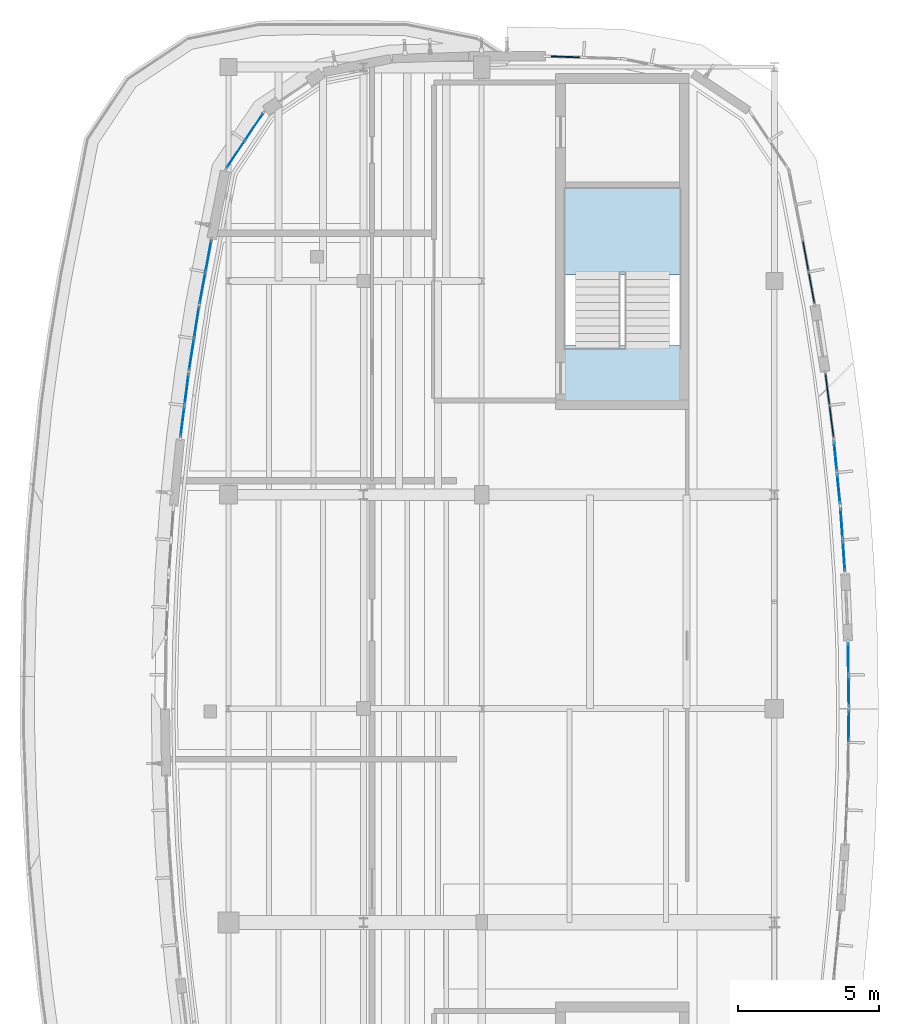
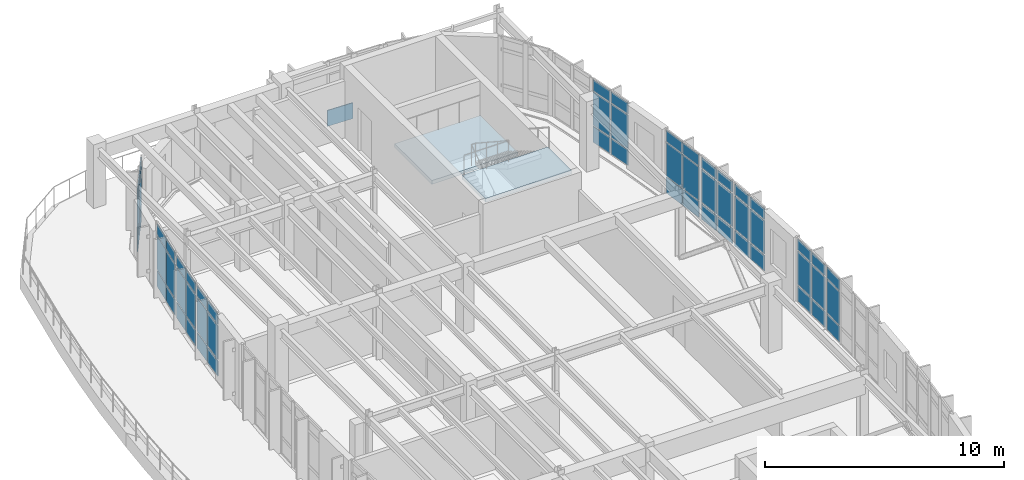
# One storey, part 14 of 20: 58 plates, 2 slabs, 12 elements without a shape of their own.
"""IFC4 building model written with IfcOpenShell, lengths in metres."""

from ifc_helpers import new_model, si_unit, direction, frame, origin, origin_2d, place, context, subcontext, project, spatial, polyline, rectangle, outline, extrude, material, layer, layer_set, type_object, element, aggregate, save


model = new_model("IFC4")

# Units and contexts
model_context = context("Model", 3, precision=1e-05, world=origin(), true_north=direction((0.0, 1.0)))
body_context = subcontext(model_context, "Body", "Model", "MODEL_VIEW")
ifc_project = project(units=[si_unit("LENGTHUNIT", "METRE"), si_unit("AREAUNIT", "SQUARE_METRE"), si_unit("VOLUMEUNIT", "CUBIC_METRE"), si_unit("PLANEANGLEUNIT", "RADIAN"), si_unit("MASSUNIT", "GRAM", prefix="KILO")], contexts=[model_context])

# Site, building, storey
site_placement = place(None, origin())
site = spatial("IfcSite", under=ifc_project, at=site_placement, CompositionType="ELEMENT")
building_placement = place(site_placement, origin())
building = spatial("IfcBuilding", under=site, at=building_placement, Name="Corveleigh Park Community Centre", CompositionType="ELEMENT")
storey_placement = place(building_placement, frame((0.0, 0.0, 16.199951171875)))
storey = spatial("IfcBuildingStorey", under=building, at=storey_placement, Name="L04", CompositionType="ELEMENT", Elevation=16.199951171875)

# Curtain wall, plates
ifc_material_1 = material(Name="Anodised aluminium 6063-T6", Category="aluminium")
curtain_wall_type = type_object("IfcCurtainWallType", Name="CW-SYS-V4-L03", PredefinedType="NOTDEFINED", material=ifc_material_1)
curtain_wall_1_placement = place(storey_placement, origin())
curtain_wall_1 = element("IfcCurtainWall", 1, at=curtain_wall_1_placement, inside=storey, type_object=curtain_wall_type, Name="V4 L04 Curtain Wall 457", PredefinedType="NOTDEFINED")
ifc_material_2 = material(Name="Low-E double glazing", Category="glass")
ifc_layer_1 = layer(ifc_material_2, 0.02392578125, Name="Low-E double glazing", Category="glass")
ifc_layer_set_1 = layer_set([ifc_layer_1], Name="Low-E double glazing")
plate_type_1 = type_object("IfcPlateType", Name="CWP-GLZ-24", PredefinedType="CURTAIN_PANEL", material=ifc_layer_set_1)
plate_1_placement = place(storey_placement, frame((149.2548828125, 101.098876953125, 0.06494140625), z_axis=(0.0, 0.0, 1.0), x_axis=(0.555658190101, 0.83141083453, 0.0)))
plate_1 = element("IfcPlate", 2, at=plate_1_placement, type_object=plate_type_1, Name="CW09 panel 1.1", PredefinedType="CURTAIN_PANEL", context=body_context, shape_type="SweptSolid", body=[
    extrude(rectangle(XDim=1.114013671875, YDim=0.02392578125, at=origin_2d()), origin(), (0.0, 0.0, 1.0), 0.802490234375),
])
plate_2_placement = place(storey_placement, frame((149.2548828125, 101.098876953125, 0.9326171875), z_axis=(0.0, 0.0, 1.0), x_axis=(0.555658190101, 0.83141083453, 0.0)))
plate_2 = element("IfcPlate", 3, at=plate_2_placement, type_object=plate_type_1, Name="CW09 panel 1.2", PredefinedType="CURTAIN_PANEL", context=body_context, shape_type="SweptSolid", body=[
    extrude(rectangle(XDim=1.114013671875, YDim=0.02392578125, at=origin_2d()), origin(), (0.0, 0.0, 1.0), 1.721923828125),
])
plate_3_placement = place(storey_placement, frame((149.2548828125, 101.098876953125, 2.7197265625), z_axis=(0.0, 0.0, 1.0), x_axis=(0.555658190101, 0.83141083453, 0.0)))
plate_3 = element("IfcPlate", 4, at=plate_3_placement, type_object=plate_type_1, Name="CW09 panel 1.3", PredefinedType="CURTAIN_PANEL", context=body_context, shape_type="SweptSolid", body=[
    extrude(rectangle(XDim=1.114013671875, YDim=0.02392578125, at=origin_2d()), origin(), (0.0, 0.0, 1.0), 0.552490234375),
])
plate_4_placement = place(storey_placement, frame((149.9072265625, 102.074951171875, 0.06494140625), z_axis=(0.0, 0.0, 1.0), x_axis=(0.555658190101, 0.83141083453, 0.0)))
plate_4 = element("IfcPlate", 5, at=plate_4_placement, type_object=plate_type_1, Name="CW09 panel 2.1", PredefinedType="CURTAIN_PANEL", context=body_context, shape_type="SweptSolid", body=[
    extrude(rectangle(XDim=1.114013671875, YDim=0.02392578125, at=origin_2d()), origin(), (0.0, 0.0, 1.0), 0.802490234375),
])
plate_5_placement = place(storey_placement, frame((149.9072265625, 102.074951171875, 0.9326171875), z_axis=(0.0, 0.0, 1.0), x_axis=(0.555658190101, 0.83141083453, 0.0)))
plate_5 = element("IfcPlate", 6, at=plate_5_placement, type_object=plate_type_1, Name="CW09 panel 2.2", PredefinedType="CURTAIN_PANEL", context=body_context, shape_type="SweptSolid", body=[
    extrude(rectangle(XDim=1.114013671875, YDim=0.02392578125, at=origin_2d()), origin(), (0.0, 0.0, 1.0), 1.721923828125),
])
plate_6_placement = place(storey_placement, frame((149.9072265625, 102.074951171875, 2.7197265625), z_axis=(0.0, 0.0, 1.0), x_axis=(0.555658190101, 0.83141083453, 0.0)))
plate_6 = element("IfcPlate", 7, at=plate_6_placement, type_object=plate_type_1, Name="CW09 panel 2.3", PredefinedType="CURTAIN_PANEL", context=body_context, shape_type="SweptSolid", body=[
    extrude(rectangle(XDim=1.114013671875, YDim=0.02392578125, at=origin_2d()), origin(), (0.0, 0.0, 1.0), 0.552490234375),
])
aggregate(curtain_wall_1, [plate_1, plate_2, plate_3, plate_4, plate_5, plate_6])

curtain_wall_2_placement = place(storey_placement, origin())
curtain_wall_2 = element("IfcCurtainWall", 8, at=curtain_wall_2_placement, inside=storey, type_object=curtain_wall_type, Name="V4 L04 Curtain Wall 458", PredefinedType="NOTDEFINED")
plate_7_placement = place(storey_placement, frame((148.076416015625, 96.350341796875, 0.070068359375), z_axis=(0.0, 0.0, 1.0), x_axis=(0.181984151504, 0.983301463744, 0.0)))
plate_7 = element("IfcPlate", 9, at=plate_7_placement, type_object=plate_type_1, Name="CW09 panel 1.1", PredefinedType="CURTAIN_PANEL", context=body_context, shape_type="SweptSolid", body=[
    extrude(rectangle(XDim=1.094970703125, YDim=0.02392578125, at=origin_2d()), origin(), (0.0, 0.0, 1.0), 0.794921875),
])
plate_8_placement = place(storey_placement, frame((148.076416015625, 96.350341796875, 0.93505859375), z_axis=(0.0, 0.0, 1.0), x_axis=(0.181984151504, 0.983301463744, 0.0)))
plate_8 = element("IfcPlate", 10, at=plate_8_placement, type_object=plate_type_1, Name="CW09 panel 1.2", PredefinedType="CURTAIN_PANEL", context=body_context, shape_type="SweptSolid", body=[
    extrude(rectangle(XDim=1.094970703125, YDim=0.02392578125, at=origin_2d()), origin(), (0.0, 0.0, 1.0), 1.717041015625),
])
plate_9_placement = place(storey_placement, frame((148.076416015625, 96.350341796875, 2.72216796875), z_axis=(0.0, 0.0, 1.0), x_axis=(0.181984151504, 0.983301463744, 0.0)))
plate_9 = element("IfcPlate", 11, at=plate_9_placement, type_object=plate_type_1, Name="CW09 panel 1.3", PredefinedType="CURTAIN_PANEL", context=body_context, shape_type="SweptSolid", body=[
    extrude(rectangle(XDim=1.094970703125, YDim=0.02392578125, at=origin_2d()), origin(), (0.0, 0.0, 1.0), 0.544921875),
])
plate_10_placement = place(storey_placement, frame((148.28759765625, 97.49072265625, 0.070068359375), z_axis=(0.0, 0.0, 1.0), x_axis=(0.181984151504, 0.983301463744, 0.0)))
plate_10 = element("IfcPlate", 12, at=plate_10_placement, type_object=plate_type_1, Name="CW09 panel 2.1", PredefinedType="CURTAIN_PANEL", context=body_context, shape_type="SweptSolid", body=[
    extrude(rectangle(XDim=1.094970703125, YDim=0.02392578125, at=origin_2d()), origin(), (0.0, 0.0, 1.0), 0.794921875),
])
plate_11_placement = place(storey_placement, frame((148.28759765625, 97.49072265625, 0.93505859375), z_axis=(0.0, 0.0, 1.0), x_axis=(0.181984151504, 0.983301463744, 0.0)))
plate_11 = element("IfcPlate", 13, at=plate_11_placement, type_object=plate_type_1, Name="CW09 panel 2.2", PredefinedType="CURTAIN_PANEL", context=body_context, shape_type="SweptSolid", body=[
    extrude(rectangle(XDim=1.094970703125, YDim=0.02392578125, at=origin_2d()), origin(), (0.0, 0.0, 1.0), 1.717041015625),
])
plate_12_placement = place(storey_placement, frame((148.28759765625, 97.49072265625, 2.72216796875), z_axis=(0.0, 0.0, 1.0), x_axis=(0.181984151504, 0.983301463744, 0.0)))
plate_12 = element("IfcPlate", 14, at=plate_12_placement, type_object=plate_type_1, Name="CW09 panel 2.3", PredefinedType="CURTAIN_PANEL", context=body_context, shape_type="SweptSolid", body=[
    extrude(rectangle(XDim=1.094970703125, YDim=0.02392578125, at=origin_2d()), origin(), (0.0, 0.0, 1.0), 0.544921875),
])
aggregate(curtain_wall_2, [plate_7, plate_8, plate_9, plate_10, plate_11, plate_12])

curtain_wall_3_placement = place(storey_placement, origin())
curtain_wall_3 = element("IfcCurtainWall", 15, at=curtain_wall_3_placement, inside=storey, type_object=curtain_wall_type, Name="V4 L04 Curtain Wall 447", PredefinedType="NOTDEFINED")
ifc_layer_2 = layer(ifc_material_2, 0.028076171875, Name="Low-E double glazing", Category="glass")
ifc_layer_set_2 = layer_set([ifc_layer_2], Name="Low-E double glazing")
plate_type_2 = type_object("IfcPlateType", Name="CWP-GLZ-28", PredefinedType="CURTAIN_PANEL", material=ifc_layer_set_2)
plate_13_placement = place(storey_placement, frame((171.044189453125, 80.77783203125, 0.06494140625), z_axis=(0.0, 0.0, 1.0), x_axis=(-0.01426627775, -0.999898231481, 0.0)))
plate_13 = element("IfcPlate", 16, at=plate_13_placement, type_object=plate_type_2, Name="CW09 panel 1.1", PredefinedType="CURTAIN_PANEL", context=body_context, shape_type="SweptSolid", body=[
    extrude(rectangle(XDim=1.086669921875, YDim=0.028076171875, at=origin_2d()), origin(), (0.0, 0.0, 1.0), 0.802490234375),
])
plate_14_placement = place(storey_placement, frame((171.044189453125, 80.77783203125, 0.9326171875), z_axis=(0.0, 0.0, 1.0), x_axis=(-0.01426627775, -0.999898231481, 0.0)))
plate_14 = element("IfcPlate", 17, at=plate_14_placement, type_object=plate_type_2, Name="CW09 panel 1.2", PredefinedType="CURTAIN_PANEL", context=body_context, shape_type="SweptSolid", body=[
    extrude(rectangle(XDim=1.086669921875, YDim=0.028076171875, at=origin_2d()), origin(), (0.0, 0.0, 1.0), 1.697021484375),
])
plate_15_placement = place(storey_placement, frame((171.044189453125, 80.77783203125, 2.6943359375), z_axis=(0.0, 0.0, 1.0), x_axis=(-0.01426627775, -0.999898231481, 0.0)))
plate_15 = element("IfcPlate", 18, at=plate_15_placement, type_object=plate_type_2, Name="CW09 panel 1.3", PredefinedType="CURTAIN_PANEL", context=body_context, shape_type="SweptSolid", body=[
    extrude(rectangle(XDim=1.086669921875, YDim=0.028076171875, at=origin_2d()), origin(), (0.0, 0.0, 1.0), 0.552490234375),
])
aggregate(curtain_wall_3, [plate_13, plate_14, plate_15])

curtain_wall_4_placement = place(storey_placement, origin())
curtain_wall_4 = element("IfcCurtainWall", 19, at=curtain_wall_4_placement, inside=storey, type_object=curtain_wall_type, Name="V4 L04 Curtain Wall 448", PredefinedType="NOTDEFINED")
plate_16_placement = place(storey_placement, frame((171.02783203125, 83.177490234375, 0.070068359375), z_axis=(0.0, 0.0, 1.0), x_axis=(0.01426627775, -0.999898231481, 0.0)))
plate_16 = element("IfcPlate", 20, at=plate_16_placement, type_object=plate_type_2, Name="CW09 panel 1.1", PredefinedType="CURTAIN_PANEL", context=body_context, shape_type="SweptSolid", body=[
    extrude(rectangle(XDim=1.0791015625, YDim=0.028076171875, at=origin_2d()), origin(), (0.0, 0.0, 1.0), 0.794921875),
])
plate_17_placement = place(storey_placement, frame((171.02783203125, 83.177490234375, 0.93505859375), z_axis=(0.0, 0.0, 1.0), x_axis=(0.01426627775, -0.999898231481, 0.0)))
plate_17 = element("IfcPlate", 21, at=plate_17_placement, type_object=plate_type_2, Name="CW09 panel 1.2", PredefinedType="CURTAIN_PANEL", context=body_context, shape_type="SweptSolid", body=[
    extrude(rectangle(XDim=1.0791015625, YDim=0.028076171875, at=origin_2d()), origin(), (0.0, 0.0, 1.0), 1.69189453125),
])
plate_18_placement = place(storey_placement, frame((171.02783203125, 83.177490234375, 2.697021484375), z_axis=(0.0, 0.0, 1.0), x_axis=(0.01426627775, -0.999898231481, 0.0)))
plate_18 = element("IfcPlate", 22, at=plate_18_placement, type_object=plate_type_2, Name="CW09 panel 1.3", PredefinedType="CURTAIN_PANEL", context=body_context, shape_type="SweptSolid", body=[
    extrude(rectangle(XDim=1.0791015625, YDim=0.028076171875, at=origin_2d()), origin(), (0.0, 0.0, 1.0), 0.544921875),
])
plate_19_placement = place(storey_placement, frame((171.044189453125, 82.0234375, 0.070068359375), z_axis=(0.0, 0.0, 1.0), x_axis=(0.01426627775, -0.999898231481, 0.0)))
plate_19 = element("IfcPlate", 23, at=plate_19_placement, type_object=plate_type_2, Name="CW09 panel 2.1", PredefinedType="CURTAIN_PANEL", context=body_context, shape_type="SweptSolid", body=[
    extrude(rectangle(XDim=1.0791015625, YDim=0.028076171875, at=origin_2d()), origin(), (0.0, 0.0, 1.0), 0.794921875),
])
plate_20_placement = place(storey_placement, frame((171.044189453125, 82.0234375, 0.93505859375), z_axis=(0.0, 0.0, 1.0), x_axis=(0.01426627775, -0.999898231481, 0.0)))
plate_20 = element("IfcPlate", 24, at=plate_20_placement, type_object=plate_type_2, Name="CW09 panel 2.2", PredefinedType="CURTAIN_PANEL", context=body_context, shape_type="SweptSolid", body=[
    extrude(rectangle(XDim=1.0791015625, YDim=0.028076171875, at=origin_2d()), origin(), (0.0, 0.0, 1.0), 1.69189453125),
])
plate_21_placement = place(storey_placement, frame((171.044189453125, 82.0234375, 2.697021484375), z_axis=(0.0, 0.0, 1.0), x_axis=(0.01426627775, -0.999898231481, 0.0)))
plate_21 = element("IfcPlate", 25, at=plate_21_placement, type_object=plate_type_2, Name="CW09 panel 2.3", PredefinedType="CURTAIN_PANEL", context=body_context, shape_type="SweptSolid", body=[
    extrude(rectangle(XDim=1.0791015625, YDim=0.028076171875, at=origin_2d()), origin(), (0.0, 0.0, 1.0), 0.544921875),
])
aggregate(curtain_wall_4, [plate_16, plate_17, plate_18, plate_19, plate_20, plate_21])

curtain_wall_5_placement = place(storey_placement, origin())
curtain_wall_5 = element("IfcCurtainWall", 26, at=curtain_wall_5_placement, inside=storey, type_object=curtain_wall_type, Name="V4 L04 Curtain Wall 459", PredefinedType="NOTDEFINED")
plate_22_placement = place(storey_placement, frame((147.68798828125, 93.981689453125, 0.074951171875), z_axis=(0.0, 0.0, 1.0), x_axis=(0.154863358814, 0.987935898779, 0.0)))
plate_22 = element("IfcPlate", 27, at=plate_22_placement, type_object=plate_type_2, Name="CW09 panel 1.1", PredefinedType="CURTAIN_PANEL", context=body_context, shape_type="SweptSolid", body=[
    extrude(rectangle(XDim=1.08642578125, YDim=0.028076171875, at=origin_2d()), origin(), (0.0, 0.0, 1.0), 0.78759765625),
])
plate_23_placement = place(storey_placement, frame((147.68798828125, 93.981689453125, 0.9375), z_axis=(0.0, 0.0, 1.0), x_axis=(0.154863358814, 0.987935898779, 0.0)))
plate_23 = element("IfcPlate", 28, at=plate_23_placement, type_object=plate_type_2, Name="CW09 panel 1.2", PredefinedType="CURTAIN_PANEL", context=body_context, shape_type="SweptSolid", body=[
    extrude(rectangle(XDim=1.08642578125, YDim=0.028076171875, at=origin_2d()), origin(), (0.0, 0.0, 1.0), 1.7119140625),
])
plate_24_placement = place(storey_placement, frame((147.68798828125, 93.981689453125, 2.724609375), z_axis=(0.0, 0.0, 1.0), x_axis=(0.154863358814, 0.987935898779, 0.0)))
plate_24 = element("IfcPlate", 29, at=plate_24_placement, type_object=plate_type_2, Name="CW09 panel 1.3", PredefinedType="CURTAIN_PANEL", context=body_context, shape_type="SweptSolid", body=[
    extrude(rectangle(XDim=1.08642578125, YDim=0.028076171875, at=origin_2d()), origin(), (0.0, 0.0, 1.0), 0.53759765625),
])
plate_25_placement = place(storey_placement, frame((147.866943359375, 95.124267578125, 0.074951171875), z_axis=(0.0, 0.0, 1.0), x_axis=(0.154863358814, 0.987935898779, 0.0)))
plate_25 = element("IfcPlate", 30, at=plate_25_placement, type_object=plate_type_2, Name="CW09 panel 2.1", PredefinedType="CURTAIN_PANEL", context=body_context, shape_type="SweptSolid", body=[
    extrude(rectangle(XDim=1.08642578125, YDim=0.028076171875, at=origin_2d()), origin(), (0.0, 0.0, 1.0), 0.78759765625),
])
plate_26_placement = place(storey_placement, frame((147.866943359375, 95.124267578125, 0.9375), z_axis=(0.0, 0.0, 1.0), x_axis=(0.154863358814, 0.987935898779, 0.0)))
plate_26 = element("IfcPlate", 31, at=plate_26_placement, type_object=plate_type_2, Name="CW09 panel 2.2", PredefinedType="CURTAIN_PANEL", context=body_context, shape_type="SweptSolid", body=[
    extrude(rectangle(XDim=1.08642578125, YDim=0.028076171875, at=origin_2d()), origin(), (0.0, 0.0, 1.0), 1.7119140625),
])
plate_27_placement = place(storey_placement, frame((147.866943359375, 95.124267578125, 2.724609375), z_axis=(0.0, 0.0, 1.0), x_axis=(0.154863358814, 0.987935898779, 0.0)))
plate_27 = element("IfcPlate", 32, at=plate_27_placement, type_object=plate_type_2, Name="CW09 panel 2.3", PredefinedType="CURTAIN_PANEL", context=body_context, shape_type="SweptSolid", body=[
    extrude(rectangle(XDim=1.08642578125, YDim=0.028076171875, at=origin_2d()), origin(), (0.0, 0.0, 1.0), 0.53759765625),
])
aggregate(curtain_wall_5, [plate_22, plate_23, plate_24, plate_25, plate_26, plate_27])

curtain_wall_6_placement = place(storey_placement, origin())
curtain_wall_6 = element("IfcCurtainWall", 33, at=curtain_wall_6_placement, inside=storey, type_object=curtain_wall_type, Name="V4 L04 Curtain Wall 460", PredefinedType="NOTDEFINED")
plate_28_placement = place(storey_placement, frame((147.366943359375, 91.603515625, 0.080078125), z_axis=(0.0, 0.0, 1.0), x_axis=(0.126719731618, 0.991938561413, 0.0)))
plate_28 = element("IfcPlate", 34, at=plate_28_placement, type_object=plate_type_2, Name="CW09 panel 1.1", PredefinedType="CURTAIN_PANEL", context=body_context, shape_type="SweptSolid", body=[
    extrude(rectangle(XDim=1.0791015625, YDim=0.028076171875, at=origin_2d()), origin(), (0.0, 0.0, 1.0), 0.780029296875),
])
plate_29_placement = place(storey_placement, frame((147.366943359375, 91.603515625, 0.93994140625), z_axis=(0.0, 0.0, 1.0), x_axis=(0.126719731618, 0.991938561413, 0.0)))
plate_29 = element("IfcPlate", 35, at=plate_29_placement, type_object=plate_type_2, Name="CW09 panel 1.2", PredefinedType="CURTAIN_PANEL", context=body_context, shape_type="SweptSolid", body=[
    extrude(rectangle(XDim=1.0791015625, YDim=0.028076171875, at=origin_2d()), origin(), (0.0, 0.0, 1.0), 1.70703125),
])
plate_30_placement = place(storey_placement, frame((147.366943359375, 91.603515625, 2.72705078125), z_axis=(0.0, 0.0, 1.0), x_axis=(0.126719731618, 0.991938561413, 0.0)))
plate_30 = element("IfcPlate", 36, at=plate_30_placement, type_object=plate_type_2, Name="CW09 panel 1.3", PredefinedType="CURTAIN_PANEL", context=body_context, shape_type="SweptSolid", body=[
    extrude(rectangle(XDim=1.0791015625, YDim=0.028076171875, at=origin_2d()), origin(), (0.0, 0.0, 1.0), 0.530029296875),
])
plate_31_placement = place(storey_placement, frame((147.51318359375, 92.748291015625, 0.080078125), z_axis=(0.0, 0.0, 1.0), x_axis=(0.126719731618, 0.991938561413, 0.0)))
plate_31 = element("IfcPlate", 37, at=plate_31_placement, type_object=plate_type_2, Name="CW09 panel 2.1", PredefinedType="CURTAIN_PANEL", context=body_context, shape_type="SweptSolid", body=[
    extrude(rectangle(XDim=1.0791015625, YDim=0.028076171875, at=origin_2d()), origin(), (0.0, 0.0, 1.0), 0.780029296875),
])
plate_32_placement = place(storey_placement, frame((147.51318359375, 92.748291015625, 0.93994140625), z_axis=(0.0, 0.0, 1.0), x_axis=(0.126719731618, 0.991938561413, 0.0)))
plate_32 = element("IfcPlate", 38, at=plate_32_placement, type_object=plate_type_2, Name="CW09 panel 2.2", PredefinedType="CURTAIN_PANEL", context=body_context, shape_type="SweptSolid", body=[
    extrude(rectangle(XDim=1.0791015625, YDim=0.028076171875, at=origin_2d()), origin(), (0.0, 0.0, 1.0), 1.70703125),
])
plate_33_placement = place(storey_placement, frame((147.51318359375, 92.748291015625, 2.72705078125), z_axis=(0.0, 0.0, 1.0), x_axis=(0.126719731618, 0.991938561413, 0.0)))
plate_33 = element("IfcPlate", 39, at=plate_33_placement, type_object=plate_type_2, Name="CW09 panel 2.3", PredefinedType="CURTAIN_PANEL", context=body_context, shape_type="SweptSolid", body=[
    extrude(rectangle(XDim=1.0791015625, YDim=0.028076171875, at=origin_2d()), origin(), (0.0, 0.0, 1.0), 0.530029296875),
])
aggregate(curtain_wall_6, [plate_28, plate_29, plate_30, plate_31, plate_32, plate_33])

curtain_wall_7_placement = place(storey_placement, origin())
curtain_wall_7 = element("IfcCurtainWall", 40, at=curtain_wall_7_placement, inside=storey, type_object=curtain_wall_type, Name="V4 L04 Curtain Wall 449", PredefinedType="NOTDEFINED")
ifc_layer_3 = layer(ifc_material_2, 0.031982421875, Name="Low-E double glazing", Category="glass")
ifc_layer_set_3 = layer_set([ifc_layer_3], Name="Low-E double glazing")
plate_type_3 = type_object("IfcPlateType", Name="CWP-GLZ-32", PredefinedType="CURTAIN_PANEL", material=ifc_layer_set_3)
plate_34_placement = place(storey_placement, frame((170.792236328125, 87.9716796875, 0.074951171875), z_axis=(0.0, 0.0, 1.0), x_axis=(0.070083872142, -0.997541102344, 0.0)))
plate_34 = element("IfcPlate", 41, at=plate_34_placement, type_object=plate_type_3, Name="CW09 panel 1.1", PredefinedType="CURTAIN_PANEL", context=body_context, shape_type="SweptSolid", body=[
    extrude(rectangle(XDim=1.071533203125, YDim=0.031982421875, at=origin_2d()), origin(), (0.0, 0.0, 1.0), 0.78759765625),
])
plate_35_placement = place(storey_placement, frame((170.792236328125, 87.9716796875, 0.9375), z_axis=(0.0, 0.0, 1.0), x_axis=(0.070083872142, -0.997541102344, 0.0)))
plate_35 = element("IfcPlate", 42, at=plate_35_placement, type_object=plate_type_3, Name="CW09 panel 1.2", PredefinedType="CURTAIN_PANEL", context=body_context, shape_type="SweptSolid", body=[
    extrude(rectangle(XDim=1.071533203125, YDim=0.031982421875, at=origin_2d()), origin(), (0.0, 0.0, 1.0), 1.68701171875),
])
plate_36_placement = place(storey_placement, frame((170.792236328125, 87.9716796875, 2.699462890625), z_axis=(0.0, 0.0, 1.0), x_axis=(0.070083872142, -0.997541102344, 0.0)))
plate_36 = element("IfcPlate", 43, at=plate_36_placement, type_object=plate_type_3, Name="CW09 panel 1.3", PredefinedType="CURTAIN_PANEL", context=body_context, shape_type="SweptSolid", body=[
    extrude(rectangle(XDim=1.071533203125, YDim=0.031982421875, at=origin_2d()), origin(), (0.0, 0.0, 1.0), 0.53759765625),
])
plate_37_placement = place(storey_placement, frame((170.872802734375, 86.8232421875, 0.074951171875), z_axis=(0.0, 0.0, 1.0), x_axis=(0.070083872142, -0.997541102344, 0.0)))
plate_37 = element("IfcPlate", 44, at=plate_37_placement, type_object=plate_type_3, Name="CW09 panel 2.1", PredefinedType="CURTAIN_PANEL", context=body_context, shape_type="SweptSolid", body=[
    extrude(rectangle(XDim=1.071533203125, YDim=0.031982421875, at=origin_2d()), origin(), (0.0, 0.0, 1.0), 0.78759765625),
])
plate_38_placement = place(storey_placement, frame((170.872802734375, 86.8232421875, 0.9375), z_axis=(0.0, 0.0, 1.0), x_axis=(0.070083872142, -0.997541102344, 0.0)))
plate_38 = element("IfcPlate", 45, at=plate_38_placement, type_object=plate_type_3, Name="CW09 panel 2.2", PredefinedType="CURTAIN_PANEL", context=body_context, shape_type="SweptSolid", body=[
    extrude(rectangle(XDim=1.071533203125, YDim=0.031982421875, at=origin_2d()), origin(), (0.0, 0.0, 1.0), 1.68701171875),
])
plate_39_placement = place(storey_placement, frame((170.872802734375, 86.8232421875, 2.699462890625), z_axis=(0.0, 0.0, 1.0), x_axis=(0.070083872142, -0.997541102344, 0.0)))
plate_39 = element("IfcPlate", 46, at=plate_39_placement, type_object=plate_type_3, Name="CW09 panel 2.3", PredefinedType="CURTAIN_PANEL", context=body_context, shape_type="SweptSolid", body=[
    extrude(rectangle(XDim=1.071533203125, YDim=0.031982421875, at=origin_2d()), origin(), (0.0, 0.0, 1.0), 0.53759765625),
])
aggregate(curtain_wall_7, [plate_34, plate_35, plate_36, plate_37, plate_38, plate_39])

curtain_wall_8_placement = place(storey_placement, origin())
curtain_wall_8 = element("IfcCurtainWall", 47, at=curtain_wall_8_placement, inside=storey, type_object=curtain_wall_type, Name="V4 L04 Curtain Wall 450", PredefinedType="NOTDEFINED")
plate_40_placement = place(storey_placement, frame((170.573486328125, 90.36181640625, 0.080078125), z_axis=(0.0, 0.0, 1.0), x_axis=(0.098174367416, -0.995169228615, 0.0)))
plate_40 = element("IfcPlate", 48, at=plate_40_placement, type_object=plate_type_3, Name="CW09 panel 1.1", PredefinedType="CURTAIN_PANEL", context=body_context, shape_type="SweptSolid", body=[
    extrude(rectangle(XDim=1.064208984375, YDim=0.031982421875, at=origin_2d()), origin(), (0.0, 0.0, 1.0), 0.780029296875),
])
plate_41_placement = place(storey_placement, frame((170.573486328125, 90.36181640625, 0.93994140625), z_axis=(0.0, 0.0, 1.0), x_axis=(0.098174367416, -0.995169228615, 0.0)))
plate_41 = element("IfcPlate", 49, at=plate_41_placement, type_object=plate_type_3, Name="CW09 panel 1.2", PredefinedType="CURTAIN_PANEL", context=body_context, shape_type="SweptSolid", body=[
    extrude(rectangle(XDim=1.064208984375, YDim=0.031982421875, at=origin_2d()), origin(), (0.0, 0.0, 1.0), 1.681884765625),
])
plate_42_placement = place(storey_placement, frame((170.573486328125, 90.36181640625, 2.7021484375), z_axis=(0.0, 0.0, 1.0), x_axis=(0.098174367416, -0.995169228615, 0.0)))
plate_42 = element("IfcPlate", 50, at=plate_42_placement, type_object=plate_type_3, Name="CW09 panel 1.3", PredefinedType="CURTAIN_PANEL", context=body_context, shape_type="SweptSolid", body=[
    extrude(rectangle(XDim=1.064208984375, YDim=0.031982421875, at=origin_2d()), origin(), (0.0, 0.0, 1.0), 0.530029296875),
])
plate_43_placement = place(storey_placement, frame((170.6865234375, 89.21826171875, 0.080078125), z_axis=(0.0, 0.0, 1.0), x_axis=(0.098174367416, -0.995169228615, 0.0)))
plate_43 = element("IfcPlate", 51, at=plate_43_placement, type_object=plate_type_3, Name="CW09 panel 2.1", PredefinedType="CURTAIN_PANEL", context=body_context, shape_type="SweptSolid", body=[
    extrude(rectangle(XDim=1.064208984375, YDim=0.031982421875, at=origin_2d()), origin(), (0.0, 0.0, 1.0), 0.780029296875),
])
plate_44_placement = place(storey_placement, frame((170.6865234375, 89.21826171875, 0.93994140625), z_axis=(0.0, 0.0, 1.0), x_axis=(0.098174367416, -0.995169228615, 0.0)))
plate_44 = element("IfcPlate", 52, at=plate_44_placement, type_object=plate_type_3, Name="CW09 panel 2.2", PredefinedType="CURTAIN_PANEL", context=body_context, shape_type="SweptSolid", body=[
    extrude(rectangle(XDim=1.064208984375, YDim=0.031982421875, at=origin_2d()), origin(), (0.0, 0.0, 1.0), 1.681884765625),
])
plate_45_placement = place(storey_placement, frame((170.6865234375, 89.21826171875, 2.7021484375), z_axis=(0.0, 0.0, 1.0), x_axis=(0.098174367416, -0.995169228615, 0.0)))
plate_45 = element("IfcPlate", 53, at=plate_45_placement, type_object=plate_type_3, Name="CW09 panel 2.3", PredefinedType="CURTAIN_PANEL", context=body_context, shape_type="SweptSolid", body=[
    extrude(rectangle(XDim=1.064208984375, YDim=0.031982421875, at=origin_2d()), origin(), (0.0, 0.0, 1.0), 0.530029296875),
])
aggregate(curtain_wall_8, [plate_40, plate_41, plate_42, plate_43, plate_44, plate_45])

curtain_wall_9_placement = place(storey_placement, origin())
curtain_wall_9 = element("IfcCurtainWall", 54, at=curtain_wall_9_placement, inside=storey, type_object=curtain_wall_type, Name="V4 L04 Curtain Wall 451", PredefinedType="NOTDEFINED")
ifc_layer_4 = layer(ifc_material_2, 0.035888671875, Name="Low-E double glazing", Category="glass")
ifc_layer_set_4 = layer_set([ifc_layer_4], Name="Low-E double glazing")
plate_type_4 = type_object("IfcPlateType", Name="CWP-GLZ-36", PredefinedType="CURTAIN_PANEL", material=ifc_layer_set_4)
plate_46_placement = place(storey_placement, frame((170.286376953125, 92.752197265625, 0.06005859375), z_axis=(0.0, 0.0, 1.0), x_axis=(0.126719731618, -0.991938561413, 0.0)))
plate_46 = element("IfcPlate", 55, at=plate_46_placement, type_object=plate_type_4, Name="CW09 panel 1.1", PredefinedType="CURTAIN_PANEL", context=body_context, shape_type="SweptSolid", body=[
    extrude(rectangle(XDim=1.1015625, YDim=0.035888671875, at=origin_2d()), origin(), (0.0, 0.0, 1.0), 0.81005859375),
])
plate_47_placement = place(storey_placement, frame((170.286376953125, 92.752197265625, 0.93017578125), z_axis=(0.0, 0.0, 1.0), x_axis=(0.126719731618, -0.991938561413, 0.0)))
plate_47 = element("IfcPlate", 56, at=plate_47_placement, type_object=plate_type_4, Name="CW09 panel 1.2", PredefinedType="CURTAIN_PANEL", context=body_context, shape_type="SweptSolid", body=[
    extrude(rectangle(XDim=1.1015625, YDim=0.035888671875, at=origin_2d()), origin(), (0.0, 0.0, 1.0), 1.701904296875),
])
plate_48_placement = place(storey_placement, frame((170.286376953125, 92.752197265625, 2.692138671875), z_axis=(0.0, 0.0, 1.0), x_axis=(0.126719731618, -0.991938561413, 0.0)))
plate_48 = element("IfcPlate", 57, at=plate_48_placement, type_object=plate_type_4, Name="CW09 panel 1.3", PredefinedType="CURTAIN_PANEL", context=body_context, shape_type="SweptSolid", body=[
    extrude(rectangle(XDim=1.1015625, YDim=0.035888671875, at=origin_2d()), origin(), (0.0, 0.0, 1.0), 0.56005859375),
])
plate_49_placement = place(storey_placement, frame((170.43359375, 91.599853515625, 0.06005859375), z_axis=(0.0, 0.0, 1.0), x_axis=(0.126719731618, -0.991938561413, 0.0)))
plate_49 = element("IfcPlate", 58, at=plate_49_placement, type_object=plate_type_4, Name="CW09 panel 2.1", PredefinedType="CURTAIN_PANEL", context=body_context, shape_type="SweptSolid", body=[
    extrude(rectangle(XDim=1.1015625, YDim=0.035888671875, at=origin_2d()), origin(), (0.0, 0.0, 1.0), 0.81005859375),
])
plate_50_placement = place(storey_placement, frame((170.43359375, 91.599853515625, 0.93017578125), z_axis=(0.0, 0.0, 1.0), x_axis=(0.126719731618, -0.991938561413, 0.0)))
plate_50 = element("IfcPlate", 59, at=plate_50_placement, type_object=plate_type_4, Name="CW09 panel 2.2", PredefinedType="CURTAIN_PANEL", context=body_context, shape_type="SweptSolid", body=[
    extrude(rectangle(XDim=1.1015625, YDim=0.035888671875, at=origin_2d()), origin(), (0.0, 0.0, 1.0), 1.701904296875),
])
plate_51_placement = place(storey_placement, frame((170.43359375, 91.599853515625, 2.692138671875), z_axis=(0.0, 0.0, 1.0), x_axis=(0.126719731618, -0.991938561413, 0.0)))
plate_51 = element("IfcPlate", 60, at=plate_51_placement, type_object=plate_type_4, Name="CW09 panel 2.3", PredefinedType="CURTAIN_PANEL", context=body_context, shape_type="SweptSolid", body=[
    extrude(rectangle(XDim=1.1015625, YDim=0.035888671875, at=origin_2d()), origin(), (0.0, 0.0, 1.0), 0.56005859375),
])
aggregate(curtain_wall_9, [plate_46, plate_47, plate_48, plate_49, plate_50, plate_51])

curtain_wall_10_placement = place(storey_placement, origin())
curtain_wall_10 = element("IfcCurtainWall", 61, at=curtain_wall_10_placement, inside=storey, type_object=curtain_wall_type, Name="V4 L04 Curtain Wall 452", PredefinedType="NOTDEFINED")
plate_52_placement = place(storey_placement, frame((169.512451171875, 97.49072265625, 0.06494140625), z_axis=(0.0, 0.0, 1.0), x_axis=(0.181984151504, -0.983301463744, 0.0)))
plate_52 = element("IfcPlate", 62, at=plate_52_placement, type_object=plate_type_4, Name="CW09 panel 1.1", PredefinedType="CURTAIN_PANEL", context=body_context, shape_type="SweptSolid", body=[
    extrude(rectangle(XDim=1.094970703125, YDim=0.035888671875, at=origin_2d()), origin(), (0.0, 0.0, 1.0), 0.802490234375),
])
plate_53_placement = place(storey_placement, frame((169.512451171875, 97.49072265625, 0.9326171875), z_axis=(0.0, 0.0, 1.0), x_axis=(0.181984151504, -0.983301463744, 0.0)))
plate_53 = element("IfcPlate", 63, at=plate_53_placement, type_object=plate_type_4, Name="CW09 panel 1.2", PredefinedType="CURTAIN_PANEL", context=body_context, shape_type="SweptSolid", body=[
    extrude(rectangle(XDim=1.094970703125, YDim=0.035888671875, at=origin_2d()), origin(), (0.0, 0.0, 1.0), 1.697021484375),
])
plate_54_placement = place(storey_placement, frame((169.512451171875, 97.49072265625, 2.6943359375), z_axis=(0.0, 0.0, 1.0), x_axis=(0.181984151504, -0.983301463744, 0.0)))
plate_54 = element("IfcPlate", 64, at=plate_54_placement, type_object=plate_type_4, Name="CW09 panel 1.3", PredefinedType="CURTAIN_PANEL", context=body_context, shape_type="SweptSolid", body=[
    extrude(rectangle(XDim=1.094970703125, YDim=0.035888671875, at=origin_2d()), origin(), (0.0, 0.0, 1.0), 0.552490234375),
])
plate_55_placement = place(storey_placement, frame((169.7236328125, 96.350341796875, 0.06494140625), z_axis=(0.0, 0.0, 1.0), x_axis=(0.181984151504, -0.983301463744, 0.0)))
plate_55 = element("IfcPlate", 65, at=plate_55_placement, type_object=plate_type_4, Name="CW09 panel 2.1", PredefinedType="CURTAIN_PANEL", context=body_context, shape_type="SweptSolid", body=[
    extrude(rectangle(XDim=1.094970703125, YDim=0.035888671875, at=origin_2d()), origin(), (0.0, 0.0, 1.0), 0.802490234375),
])
plate_56_placement = place(storey_placement, frame((169.7236328125, 96.350341796875, 0.9326171875), z_axis=(0.0, 0.0, 1.0), x_axis=(0.181984151504, -0.983301463744, 0.0)))
plate_56 = element("IfcPlate", 66, at=plate_56_placement, type_object=plate_type_4, Name="CW09 panel 2.2", PredefinedType="CURTAIN_PANEL", context=body_context, shape_type="SweptSolid", body=[
    extrude(rectangle(XDim=1.094970703125, YDim=0.035888671875, at=origin_2d()), origin(), (0.0, 0.0, 1.0), 1.697021484375),
])
plate_57_placement = place(storey_placement, frame((169.7236328125, 96.350341796875, 2.6943359375), z_axis=(0.0, 0.0, 1.0), x_axis=(0.181984151504, -0.983301463744, 0.0)))
plate_57 = element("IfcPlate", 67, at=plate_57_placement, type_object=plate_type_4, Name="CW09 panel 2.3", PredefinedType="CURTAIN_PANEL", context=body_context, shape_type="SweptSolid", body=[
    extrude(rectangle(XDim=1.094970703125, YDim=0.035888671875, at=origin_2d()), origin(), (0.0, 0.0, 1.0), 0.552490234375),
])
aggregate(curtain_wall_10, [plate_52, plate_53, plate_54, plate_55, plate_56, plate_57])

# Curtain wall, plate
curtain_wall_11_placement = place(storey_placement, origin())
curtain_wall_11 = element("IfcCurtainWall", 68, at=curtain_wall_11_placement, inside=storey, type_object=curtain_wall_type, Name="V4 L04 Curtain Wall 456", PredefinedType="NOTDEFINED")
ifc_layer_5 = layer(ifc_material_2, 0.0439453125, Name="Low-E double glazing", Category="glass")
ifc_layer_set_5 = layer_set([ifc_layer_5], Name="Low-E double glazing")
plate_type_5 = type_object("IfcPlateType", Name="CWP-GLZ-44", PredefinedType="CURTAIN_PANEL", material=ifc_layer_set_5)
plate_58_placement = place(storey_placement, frame((160.972412109375, 104.56396484375, 0.06005859375), z_axis=(0.0, 0.0, 1.0), x_axis=(0.99950519252, -0.031454254481, 0.0)))
plate_58 = element("IfcPlate", 69, at=plate_58_placement, type_object=plate_type_5, Name="CW09 panel 1.1", PredefinedType="CURTAIN_PANEL", context=body_context, shape_type="SweptSolid", body=[
    extrude(rectangle(XDim=1.2236328125, YDim=0.0439453125, at=origin_2d()), origin(), (0.0, 0.0, 1.0), 0.81005859375),
])
aggregate(curtain_wall_11, [plate_58])

# Stair, slabs
ifc_material_3 = material(Name="Concrete C32/40", Category="concrete")
stair_type = type_object("IfcStairType", Name="STR-HT-1600-360", PredefinedType="USERDEFINED", material=ifc_material_3)
stair_placement = place(storey_placement, origin())
stair = element("IfcStair", 70, at=stair_placement, inside=storey, type_object=stair_type, Name="Protected escape stair ST2 (L04 to L05)", ObjectType="TWO_RETURN_STAIR", PredefinedType="USERDEFINED")
ifc_layer_6 = layer(ifc_material_3, 0.18798828125, Name="Concrete C32/40", Category="concrete")
ifc_layer_set_6 = layer_set([ifc_layer_6], Name="Concrete C32/40")
slab_type = type_object("IfcSlabType", Name="SLB-LND-188", PredefinedType="LANDING", material=ifc_layer_set_6)
slab_1_placement = place(storey_placement, frame((0.0, 0.0, 1.612060546875)))
slab_1 = element("IfcSlab", 71, at=slab_1_placement, type_object=slab_type, Name="ST2 half landing", PredefinedType="LANDING", context=body_context, shape_type="SweptSolid", body=[
    extrude(outline(polyline([(160.927001953125, 96.81005859375), (165.072998046875, 96.81005859375), (165.072998046875, 99.923095703125), (160.927001953125, 99.923095703125), (160.927001953125, 96.81005859375)])), origin(), (0.0, 0.0, 1.0), 0.18798828125),
])
slab_2_placement = place(storey_placement, frame((0.0, 0.0, 3.412109375)))
slab_2 = element("IfcSlab", 72, at=slab_2_placement, type_object=slab_type, Name="ST2 upper landing", PredefinedType="LANDING", context=body_context, shape_type="SweptSolid", body=[
    extrude(outline(polyline([(160.927001953125, 92.326904296875), (165.072998046875, 92.326904296875), (165.072998046875, 94.300048828125), (160.927001953125, 94.300048828125), (160.927001953125, 92.326904296875)])), origin(), (0.0, 0.0, 1.0), 0.18798828125),
])
aggregate(stair, [slab_1, slab_2])

save(model, "model.ifc")
